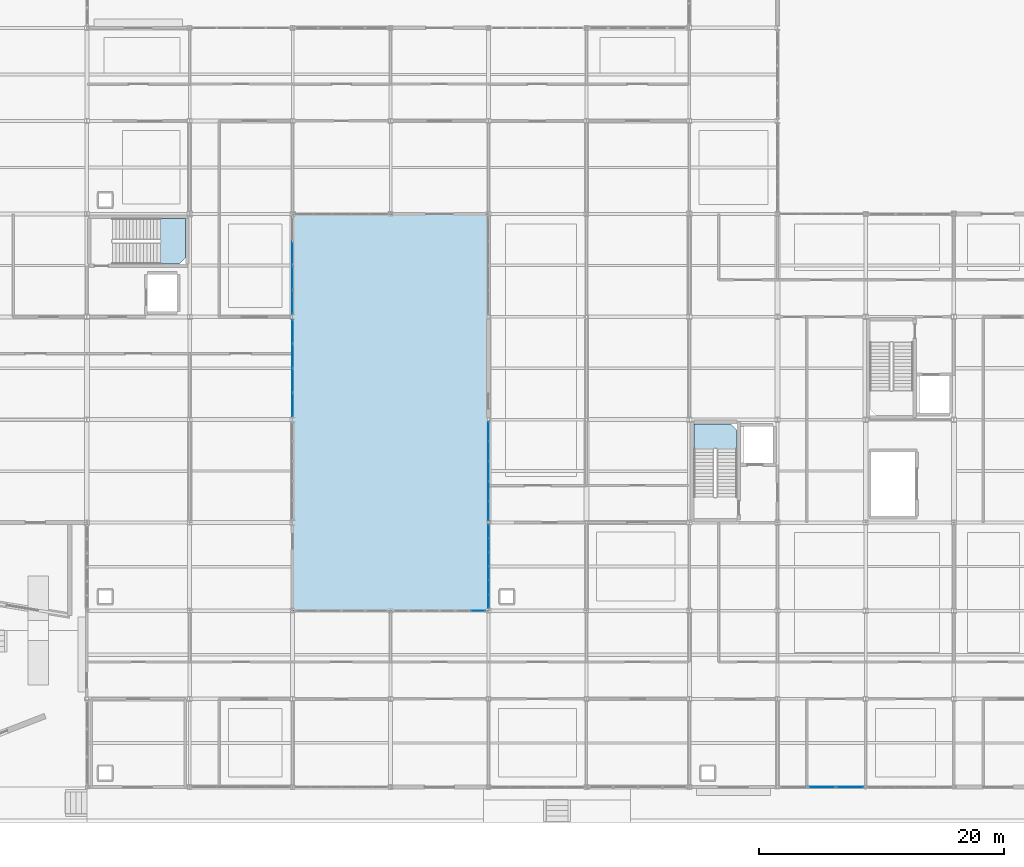
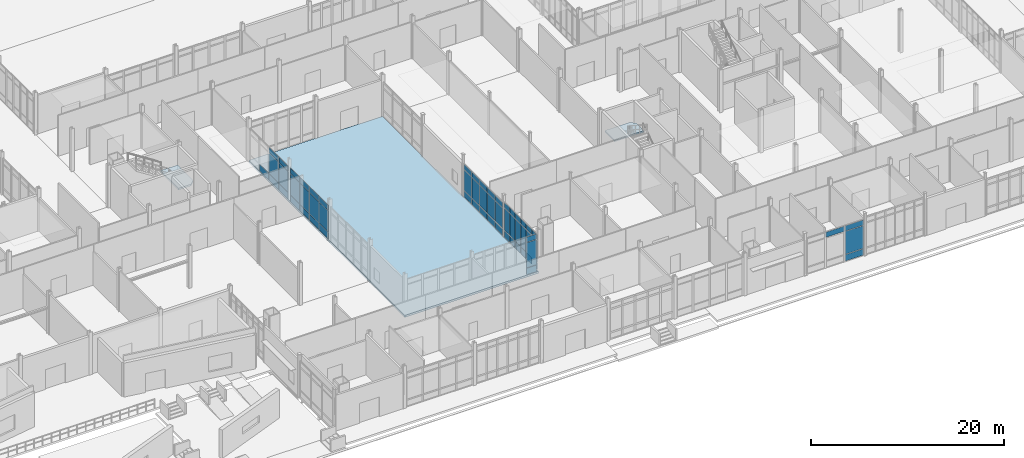
# One storey, part 143 of 229: 59 plates, 3 slabs, 8 elements without a shape of their own.
"""IFC4 building model written with IfcOpenShell, lengths in metres."""

from ifc_helpers import new_model, si_unit, direction, frame, origin, origin_2d, place, context, subcontext, project, spatial, polyline, rectangle, outline, extrude, material, layer, layer_set, type_object, element, aggregate, save


model = new_model("IFC4")

# Units and contexts
model_context = context("Model", 3, precision=1e-05, world=origin(), true_north=direction((0.0, 1.0)))
body_context = subcontext(model_context, "Body", "Model", "MODEL_VIEW")
ifc_project = project(units=[si_unit("LENGTHUNIT", "METRE"), si_unit("AREAUNIT", "SQUARE_METRE"), si_unit("VOLUMEUNIT", "CUBIC_METRE"), si_unit("PLANEANGLEUNIT", "RADIAN"), si_unit("MASSUNIT", "GRAM", prefix="KILO")], contexts=[model_context])

# Site, building, storey
site_placement = place(None, origin())
site = spatial("IfcSite", under=ifc_project, at=site_placement, CompositionType="ELEMENT")
building_placement = place(site_placement, origin())
building = spatial("IfcBuilding", under=site, at=building_placement, Name="Calvrana Isthmian Art Gallery", CompositionType="ELEMENT")
storey_placement = place(building_placement, origin())
storey = spatial("IfcBuildingStorey", under=building, at=storey_placement, Name="L00", CompositionType="ELEMENT", Elevation=0.0)

# Curtain wall, plates
ifc_material_1 = material(Name="Anodized bronze aluminium 6063-T6", Category="aluminium")
ifc_layer_1 = layer(ifc_material_1, 0.179931640625, Name="Anodized bronze aluminium 6063-T6")
ifc_layer_set_1 = layer_set([ifc_layer_1], Name="Anodized bronze aluminium 6063-T6")
curtain_wall_type_1 = type_object("IfcCurtainWallType", Name="CW-UNIT-080X44", PredefinedType="USERDEFINED", material=ifc_layer_set_1)
curtain_wall_1_placement = place(storey_placement, origin())
curtain_wall_1 = element("IfcCurtainWall", 1, at=curtain_wall_1_placement, inside=storey, type_object=curtain_wall_type_1, Name="Curtain wall CW-070", ObjectType="UNITISED CURTAIN WALL", PredefinedType="USERDEFINED")
ifc_material_2 = material(Name="Polychrome glazed terracotta", Category="masonry")
ifc_layer_2 = layer(ifc_material_2, 0.033935546875, Name="Polychrome glazed terracotta")
ifc_layer_set_2 = layer_set([ifc_layer_2], Name="Polychrome glazed terracotta")
plate_type_1 = type_object("IfcPlateType", Name="CWP-SPANDREL-34", PredefinedType="CURTAIN_PANEL", material=ifc_layer_set_2)
plate_1_placement = place(storey_placement, frame((80.39990234375, 37.192138671875, 0.06005859375), z_axis=(0.0, 0.0, 1.0), x_axis=(0.0, -1.0, 0.0)))
plate_1 = element("IfcPlate", 2, at=plate_1_placement, type_object=plate_type_1, Name="CW-070 panel 1.1", PredefinedType="CURTAIN_PANEL", context=body_context, shape_type="SweptSolid", body=[
    extrude(rectangle(XDim=1.892578125, YDim=0.033935546875, at=origin_2d()), origin(), (0.0, 0.0, 1.0), 0.81005859375),
])
plate_2_placement = place(storey_placement, frame((80.39990234375, 37.192138671875, 0.93017578125), z_axis=(0.0, 0.0, 1.0), x_axis=(0.0, -1.0, 0.0)))
plate_2 = element("IfcPlate", 3, at=plate_2_placement, type_object=plate_type_1, Name="CW-070 panel 1.2", PredefinedType="CURTAIN_PANEL", context=body_context, shape_type="SweptSolid", body=[
    extrude(rectangle(XDim=1.892578125, YDim=0.033935546875, at=origin_2d()), origin(), (0.0, 0.0, 1.0), 2.657958984375),
])
plate_3_placement = place(storey_placement, frame((80.39990234375, 37.192138671875, 3.64794921875), z_axis=(0.0, 0.0, 1.0), x_axis=(0.0, -1.0, 0.0)))
plate_3 = element("IfcPlate", 4, at=plate_3_placement, type_object=plate_type_1, Name="CW-070 panel 1.3", PredefinedType="CURTAIN_PANEL", context=body_context, shape_type="SweptSolid", body=[
    extrude(rectangle(XDim=1.892578125, YDim=0.033935546875, at=origin_2d()), origin(), (0.0, 0.0, 1.0), 0.659912109375),
])
plate_4_placement = place(storey_placement, frame((80.39990234375, 35.205810546875, 0.06005859375), z_axis=(0.0, 0.0, 1.0), x_axis=(0.0, -1.0, 0.0)))
plate_4 = element("IfcPlate", 5, at=plate_4_placement, type_object=plate_type_1, Name="CW-070 panel 2.1", PredefinedType="CURTAIN_PANEL", context=body_context, shape_type="SweptSolid", body=[
    extrude(rectangle(XDim=1.93017578125, YDim=0.033935546875, at=origin_2d()), origin(), (0.0, 0.0, 1.0), 0.81005859375),
])
plate_5_placement = place(storey_placement, frame((80.39990234375, 35.205810546875, 0.93017578125), z_axis=(0.0, 0.0, 1.0), x_axis=(0.0, -1.0, 0.0)))
plate_5 = element("IfcPlate", 6, at=plate_5_placement, type_object=plate_type_1, Name="CW-070 panel 2.2", PredefinedType="CURTAIN_PANEL", context=body_context, shape_type="SweptSolid", body=[
    extrude(rectangle(XDim=1.93017578125, YDim=0.033935546875, at=origin_2d()), origin(), (0.0, 0.0, 1.0), 2.657958984375),
])
plate_6_placement = place(storey_placement, frame((80.39990234375, 35.205810546875, 3.64794921875), z_axis=(0.0, 0.0, 1.0), x_axis=(0.0, -1.0, 0.0)))
plate_6 = element("IfcPlate", 7, at=plate_6_placement, type_object=plate_type_1, Name="CW-070 panel 2.3", PredefinedType="CURTAIN_PANEL", context=body_context, shape_type="SweptSolid", body=[
    extrude(rectangle(XDim=1.93017578125, YDim=0.033935546875, at=origin_2d()), origin(), (0.0, 0.0, 1.0), 0.659912109375),
])
plate_7_placement = place(storey_placement, frame((80.39990234375, 33.20068359375, 0.06005859375), z_axis=(0.0, 0.0, 1.0), x_axis=(0.0, -1.0, 0.0)))
plate_7 = element("IfcPlate", 8, at=plate_7_placement, type_object=plate_type_1, Name="CW-070 panel 3.1", PredefinedType="CURTAIN_PANEL", context=body_context, shape_type="SweptSolid", body=[
    extrude(rectangle(XDim=1.93017578125, YDim=0.033935546875, at=origin_2d()), origin(), (0.0, 0.0, 1.0), 0.81005859375),
])
plate_8_placement = place(storey_placement, frame((80.39990234375, 33.20068359375, 0.93017578125), z_axis=(0.0, 0.0, 1.0), x_axis=(0.0, -1.0, 0.0)))
plate_8 = element("IfcPlate", 9, at=plate_8_placement, type_object=plate_type_1, Name="CW-070 panel 3.2", PredefinedType="CURTAIN_PANEL", context=body_context, shape_type="SweptSolid", body=[
    extrude(rectangle(XDim=1.93017578125, YDim=0.033935546875, at=origin_2d()), origin(), (0.0, 0.0, 1.0), 2.657958984375),
])
plate_9_placement = place(storey_placement, frame((80.39990234375, 33.20068359375, 3.64794921875), z_axis=(0.0, 0.0, 1.0), x_axis=(0.0, -1.0, 0.0)))
plate_9 = element("IfcPlate", 10, at=plate_9_placement, type_object=plate_type_1, Name="CW-070 panel 3.3", PredefinedType="CURTAIN_PANEL", context=body_context, shape_type="SweptSolid", body=[
    extrude(rectangle(XDim=1.93017578125, YDim=0.033935546875, at=origin_2d()), origin(), (0.0, 0.0, 1.0), 0.659912109375),
])
plate_10_placement = place(storey_placement, frame((80.39990234375, 31.21435546875, 0.06005859375), z_axis=(0.0, 0.0, 1.0), x_axis=(0.0, -1.0, 0.0)))
plate_10 = element("IfcPlate", 11, at=plate_10_placement, type_object=plate_type_1, Name="CW-070 panel 4.1", PredefinedType="CURTAIN_PANEL", context=body_context, shape_type="SweptSolid", body=[
    extrude(rectangle(XDim=1.892578125, YDim=0.033935546875, at=origin_2d()), origin(), (0.0, 0.0, 1.0), 0.81005859375),
])
plate_11_placement = place(storey_placement, frame((80.39990234375, 31.21435546875, 0.93017578125), z_axis=(0.0, 0.0, 1.0), x_axis=(0.0, -1.0, 0.0)))
plate_11 = element("IfcPlate", 12, at=plate_11_placement, type_object=plate_type_1, Name="CW-070 panel 4.2", PredefinedType="CURTAIN_PANEL", context=body_context, shape_type="SweptSolid", body=[
    extrude(rectangle(XDim=1.892578125, YDim=0.033935546875, at=origin_2d()), origin(), (0.0, 0.0, 1.0), 2.657958984375),
])
plate_12_placement = place(storey_placement, frame((80.39990234375, 31.21435546875, 3.64794921875), z_axis=(0.0, 0.0, 1.0), x_axis=(0.0, -1.0, 0.0)))
plate_12 = element("IfcPlate", 13, at=plate_12_placement, type_object=plate_type_1, Name="CW-070 panel 4.3", PredefinedType="CURTAIN_PANEL", context=body_context, shape_type="SweptSolid", body=[
    extrude(rectangle(XDim=1.892578125, YDim=0.033935546875, at=origin_2d()), origin(), (0.0, 0.0, 1.0), 0.659912109375),
])
aggregate(curtain_wall_1, [plate_1, plate_2, plate_3, plate_4, plate_5, plate_6, plate_7, plate_8, plate_9, plate_10, plate_11, plate_12])

ifc_layer_3 = layer(ifc_material_1, 0.179931640625, Name="Anodized bronze aluminium 6063-T6")
ifc_layer_set_3 = layer_set([ifc_layer_3], Name="Anodized bronze aluminium 6063-T6")
curtain_wall_type_2 = type_object("IfcCurtainWallType", Name="CW-STICK-069X46", PredefinedType="NOTDEFINED", material=ifc_layer_set_3)
curtain_wall_2_placement = place(storey_placement, origin())
curtain_wall_2 = element("IfcCurtainWall", 14, at=curtain_wall_2_placement, inside=storey, type_object=curtain_wall_type_2, Name="Curtain wall CW-011", PredefinedType="NOTDEFINED")
ifc_material_3 = material(Name="Low-E laminated solar glass", Category="glass")
ifc_layer_4 = layer(ifc_material_3, 0.028076171875, Name="Low-E laminated solar glass")
ifc_layer_set_4 = layer_set([ifc_layer_4], Name="Low-E laminated solar glass")
plate_type_2 = type_object("IfcPlateType", Name="CWP-VISION-28", PredefinedType="CURTAIN_PANEL", material=ifc_layer_set_4)
plate_13_placement = place(storey_placement, frame((125.920654296875, 0.0, 0.06005859375), z_axis=(0.0, 0.0, 1.0), x_axis=(-1.0, 0.0, 0.0)))
plate_13 = element("IfcPlate", 15, at=plate_13_placement, type_object=plate_type_2, Name="CW-011 panel 1.1", PredefinedType="CURTAIN_PANEL", context=body_context, shape_type="SweptSolid", body=[
    extrude(rectangle(XDim=2.1953125, YDim=0.028076171875, at=origin_2d()), origin(), (0.0, 0.0, 1.0), 0.81005859375),
])
plate_14_placement = place(storey_placement, frame((125.920654296875, 0.0, 0.93017578125), z_axis=(0.0, 0.0, 1.0), x_axis=(-1.0, 0.0, 0.0)))
plate_14 = element("IfcPlate", 16, at=plate_14_placement, type_object=plate_type_2, Name="CW-011 panel 1.2", PredefinedType="CURTAIN_PANEL", context=body_context, shape_type="SweptSolid", body=[
    extrude(rectangle(XDim=2.1953125, YDim=0.028076171875, at=origin_2d()), origin(), (0.0, 0.0, 1.0), 2.881103515625),
])
plate_15_placement = place(storey_placement, frame((125.920654296875, 0.0, 3.87109375), z_axis=(0.0, 0.0, 1.0), x_axis=(-1.0, 0.0, 0.0)))
plate_15 = element("IfcPlate", 17, at=plate_15_placement, type_object=plate_type_2, Name="CW-011 panel 1.3", PredefinedType="CURTAIN_PANEL", context=body_context, shape_type="SweptSolid", body=[
    extrude(rectangle(XDim=2.1953125, YDim=0.028076171875, at=origin_2d()), origin(), (0.0, 0.0, 1.0), 0.659912109375),
])
plate_16_placement = place(storey_placement, frame((123.62548828125, 0.0, 3.87109375), z_axis=(0.0, 0.0, 1.0), x_axis=(-1.0, 0.0, 0.0)))
plate_16 = element("IfcPlate", 18, at=plate_16_placement, type_object=plate_type_2, Name="CW-011 panel 2.3", PredefinedType="CURTAIN_PANEL", context=body_context, shape_type="SweptSolid", body=[
    extrude(rectangle(XDim=2.2353515625, YDim=0.028076171875, at=origin_2d()), origin(), (0.0, 0.0, 1.0), 0.659912109375),
])
aggregate(curtain_wall_2, [plate_13, plate_14, plate_15, plate_16])

ifc_layer_5 = layer(ifc_material_1, 0.179931640625, Name="Anodized bronze aluminium 6063-T6")
ifc_layer_set_5 = layer_set([ifc_layer_5], Name="Anodized bronze aluminium 6063-T6")
curtain_wall_type_3 = type_object("IfcCurtainWallType", Name="CW-STICK-076X49", PredefinedType="NOTDEFINED", material=ifc_layer_set_5)
curtain_wall_3_placement = place(storey_placement, origin())
curtain_wall_3 = element("IfcCurtainWall", 19, at=curtain_wall_3_placement, inside=storey, type_object=curtain_wall_type_3, Name="Curtain wall CW-016", PredefinedType="NOTDEFINED")
plate_17_placement = place(storey_placement, frame((95.558837890625, 14.39990234375, 0.06005859375), z_axis=(0.0, 0.0, 1.0), x_axis=(1.0, 0.0, 0.0)))
plate_17 = element("IfcPlate", 20, at=plate_17_placement, type_object=plate_type_2, Name="CW-016 panel 6.1", PredefinedType="CURTAIN_PANEL", context=body_context, shape_type="SweptSolid", body=[
    extrude(rectangle(XDim=1.1591796875, YDim=0.028076171875, at=origin_2d()), origin(), (0.0, 0.0, 1.0), 0.81005859375),
])
plate_18_placement = place(storey_placement, frame((95.558837890625, 14.39990234375, 0.93017578125), z_axis=(0.0, 0.0, 1.0), x_axis=(1.0, 0.0, 0.0)))
plate_18 = element("IfcPlate", 21, at=plate_18_placement, type_object=plate_type_2, Name="CW-016 panel 6.2", PredefinedType="CURTAIN_PANEL", context=body_context, shape_type="SweptSolid", body=[
    extrude(rectangle(XDim=1.1591796875, YDim=0.028076171875, at=origin_2d()), origin(), (0.0, 0.0, 1.0), 3.176025390625),
])
plate_19_placement = place(storey_placement, frame((95.558837890625, 14.39990234375, 4.166015625), z_axis=(0.0, 0.0, 1.0), x_axis=(1.0, 0.0, 0.0)))
plate_19 = element("IfcPlate", 22, at=plate_19_placement, type_object=plate_type_2, Name="CW-016 panel 6.3", PredefinedType="CURTAIN_PANEL", context=body_context, shape_type="SweptSolid", body=[
    extrude(rectangle(XDim=1.1591796875, YDim=0.028076171875, at=origin_2d()), origin(), (0.0, 0.0, 1.0), 0.659912109375),
])
aggregate(curtain_wall_3, [plate_17, plate_18, plate_19])

ifc_layer_6 = layer(ifc_material_1, 0.179931640625, Name="Anodized bronze aluminium 6063-T6")
ifc_layer_set_6 = layer_set([ifc_layer_6], Name="Anodized bronze aluminium 6063-T6")
curtain_wall_type_4 = type_object("IfcCurtainWallType", Name="CW-STICK-080X43", PredefinedType="NOTDEFINED", material=ifc_layer_set_6)
curtain_wall_4_placement = place(storey_placement, origin())
curtain_wall_4 = element("IfcCurtainWall", 23, at=curtain_wall_4_placement, inside=storey, type_object=curtain_wall_type_4, Name="Curtain wall CW-071", PredefinedType="NOTDEFINED")
plate_20_placement = place(storey_placement, frame((80.39990234375, 43.59521484375, 0.06005859375), z_axis=(0.0, 0.0, 1.0), x_axis=(0.0, -1.0, 0.0)))
plate_20 = element("IfcPlate", 24, at=plate_20_placement, type_object=plate_type_2, Name="CW-071 panel 2.1", PredefinedType="CURTAIN_PANEL", context=body_context, shape_type="SweptSolid", body=[
    extrude(rectangle(XDim=1.923583984375, YDim=0.028076171875, at=origin_2d()), origin(), (0.0, 0.0, 1.0), 0.81005859375),
])
plate_21_placement = place(storey_placement, frame((80.39990234375, 41.591796875, 0.06005859375), z_axis=(0.0, 0.0, 1.0), x_axis=(0.0, -1.0, 0.0)))
plate_21 = element("IfcPlate", 25, at=plate_21_placement, type_object=plate_type_2, Name="CW-071 panel 3.1", PredefinedType="CURTAIN_PANEL", context=body_context, shape_type="SweptSolid", body=[
    extrude(rectangle(XDim=1.923583984375, YDim=0.028076171875, at=origin_2d()), origin(), (0.0, 0.0, 1.0), 0.81005859375),
])
plate_22_placement = place(storey_placement, frame((80.39990234375, 41.591796875, 0.93017578125), z_axis=(0.0, 0.0, 1.0), x_axis=(0.0, -1.0, 0.0)))
plate_22 = element("IfcPlate", 26, at=plate_22_placement, type_object=plate_type_2, Name="CW-071 panel 3.2", PredefinedType="CURTAIN_PANEL", context=body_context, shape_type="SweptSolid", body=[
    extrude(rectangle(XDim=1.923583984375, YDim=0.028076171875, at=origin_2d()), origin(), (0.0, 0.0, 1.0), 2.573974609375),
])
plate_23_placement = place(storey_placement, frame((80.39990234375, 41.591796875, 3.56396484375), z_axis=(0.0, 0.0, 1.0), x_axis=(0.0, -1.0, 0.0)))
plate_23 = element("IfcPlate", 27, at=plate_23_placement, type_object=plate_type_2, Name="CW-071 panel 3.3", PredefinedType="CURTAIN_PANEL", context=body_context, shape_type="SweptSolid", body=[
    extrude(rectangle(XDim=1.923583984375, YDim=0.028076171875, at=origin_2d()), origin(), (0.0, 0.0, 1.0), 0.659912109375),
])
plate_24_placement = place(storey_placement, frame((80.39990234375, 39.608154296875, 0.06005859375), z_axis=(0.0, 0.0, 1.0), x_axis=(0.0, -1.0, 0.0)))
plate_24 = element("IfcPlate", 28, at=plate_24_placement, type_object=plate_type_2, Name="CW-071 panel 4.1", PredefinedType="CURTAIN_PANEL", context=body_context, shape_type="SweptSolid", body=[
    extrude(rectangle(XDim=1.883544921875, YDim=0.028076171875, at=origin_2d()), origin(), (0.0, 0.0, 1.0), 0.81005859375),
])
plate_25_placement = place(storey_placement, frame((80.39990234375, 39.608154296875, 0.93017578125), z_axis=(0.0, 0.0, 1.0), x_axis=(0.0, -1.0, 0.0)))
plate_25 = element("IfcPlate", 29, at=plate_25_placement, type_object=plate_type_2, Name="CW-071 panel 4.2", PredefinedType="CURTAIN_PANEL", context=body_context, shape_type="SweptSolid", body=[
    extrude(rectangle(XDim=1.883544921875, YDim=0.028076171875, at=origin_2d()), origin(), (0.0, 0.0, 1.0), 2.573974609375),
])
plate_26_placement = place(storey_placement, frame((80.39990234375, 39.608154296875, 3.56396484375), z_axis=(0.0, 0.0, 1.0), x_axis=(0.0, -1.0, 0.0)))
plate_26 = element("IfcPlate", 30, at=plate_26_placement, type_object=plate_type_2, Name="CW-071 panel 4.3", PredefinedType="CURTAIN_PANEL", context=body_context, shape_type="SweptSolid", body=[
    extrude(rectangle(XDim=1.883544921875, YDim=0.028076171875, at=origin_2d()), origin(), (0.0, 0.0, 1.0), 0.659912109375),
])
aggregate(curtain_wall_4, [plate_20, plate_21, plate_22, plate_23, plate_24, plate_25, plate_26])

ifc_layer_7 = layer(ifc_material_1, 0.179931640625, Name="Anodized bronze aluminium 6063-T6")
ifc_layer_set_7 = layer_set([ifc_layer_7], Name="Anodized bronze aluminium 6063-T6")
curtain_wall_type_5 = type_object("IfcCurtainWallType", Name="CW-UNIT-069X45", PredefinedType="USERDEFINED", material=ifc_layer_set_7)
curtain_wall_5_placement = place(storey_placement, origin())
curtain_wall_5 = element("IfcCurtainWall", 31, at=curtain_wall_5_placement, inside=storey, type_object=curtain_wall_type_5, Name="Curtain wall CW-072", ObjectType="UNITISED CURTAIN WALL", PredefinedType="USERDEFINED")
plate_27_placement = place(storey_placement, frame((96.39990234375, 15.17529296875, 0.06494140625), z_axis=(0.0, 0.0, 1.0), x_axis=(0.0, 1.0, 0.0)))
plate_27 = element("IfcPlate", 32, at=plate_27_placement, type_object=plate_type_2, Name="CW-072 panel 1.1", PredefinedType="CURTAIN_PANEL", context=body_context, shape_type="SweptSolid", body=[
    extrude(rectangle(XDim=1.057861328125, YDim=0.028076171875, at=origin_2d()), origin(), (0.0, 0.0, 1.0), 0.802490234375),
])
plate_28_placement = place(storey_placement, frame((96.39990234375, 15.17529296875, 0.9326171875), z_axis=(0.0, 0.0, 1.0), x_axis=(0.0, 1.0, 0.0)))
plate_28 = element("IfcPlate", 33, at=plate_28_placement, type_object=plate_type_2, Name="CW-072 panel 1.2", PredefinedType="CURTAIN_PANEL", context=body_context, shape_type="SweptSolid", body=[
    extrude(rectangle(XDim=1.057861328125, YDim=0.028076171875, at=origin_2d()), origin(), (0.0, 0.0, 1.0), 2.81298828125),
])
plate_29_placement = place(storey_placement, frame((96.39990234375, 15.17529296875, 3.810546875), z_axis=(0.0, 0.0, 1.0), x_axis=(0.0, 1.0, 0.0)))
plate_29 = element("IfcPlate", 34, at=plate_29_placement, type_object=plate_type_2, Name="CW-072 panel 1.3", PredefinedType="CURTAIN_PANEL", context=body_context, shape_type="SweptSolid", body=[
    extrude(rectangle(XDim=1.057861328125, YDim=0.028076171875, at=origin_2d()), origin(), (0.0, 0.0, 1.0), 0.652587890625),
])
plate_30_placement = place(storey_placement, frame((96.39990234375, 16.30810546875, 0.06494140625), z_axis=(0.0, 0.0, 1.0), x_axis=(0.0, 1.0, 0.0)))
plate_30 = element("IfcPlate", 35, at=plate_30_placement, type_object=plate_type_2, Name="CW-072 panel 2.1", PredefinedType="CURTAIN_PANEL", context=body_context, shape_type="SweptSolid", body=[
    extrude(rectangle(XDim=1.087646484375, YDim=0.028076171875, at=origin_2d()), origin(), (0.0, 0.0, 1.0), 0.802490234375),
])
plate_31_placement = place(storey_placement, frame((96.39990234375, 16.30810546875, 0.9326171875), z_axis=(0.0, 0.0, 1.0), x_axis=(0.0, 1.0, 0.0)))
plate_31 = element("IfcPlate", 36, at=plate_31_placement, type_object=plate_type_2, Name="CW-072 panel 2.2", PredefinedType="CURTAIN_PANEL", context=body_context, shape_type="SweptSolid", body=[
    extrude(rectangle(XDim=1.087646484375, YDim=0.028076171875, at=origin_2d()), origin(), (0.0, 0.0, 1.0), 2.81298828125),
])
plate_32_placement = place(storey_placement, frame((96.39990234375, 16.30810546875, 3.810546875), z_axis=(0.0, 0.0, 1.0), x_axis=(0.0, 1.0, 0.0)))
plate_32 = element("IfcPlate", 37, at=plate_32_placement, type_object=plate_type_2, Name="CW-072 panel 2.3", PredefinedType="CURTAIN_PANEL", context=body_context, shape_type="SweptSolid", body=[
    extrude(rectangle(XDim=1.087646484375, YDim=0.028076171875, at=origin_2d()), origin(), (0.0, 0.0, 1.0), 0.652587890625),
])
plate_33_placement = place(storey_placement, frame((96.39990234375, 17.455810546875, 0.06494140625), z_axis=(0.0, 0.0, 1.0), x_axis=(0.0, 1.0, 0.0)))
plate_33 = element("IfcPlate", 38, at=plate_33_placement, type_object=plate_type_2, Name="CW-072 panel 3.1", PredefinedType="CURTAIN_PANEL", context=body_context, shape_type="SweptSolid", body=[
    extrude(rectangle(XDim=1.087646484375, YDim=0.028076171875, at=origin_2d()), origin(), (0.0, 0.0, 1.0), 0.802490234375),
])
plate_34_placement = place(storey_placement, frame((96.39990234375, 17.455810546875, 0.9326171875), z_axis=(0.0, 0.0, 1.0), x_axis=(0.0, 1.0, 0.0)))
plate_34 = element("IfcPlate", 39, at=plate_34_placement, type_object=plate_type_2, Name="CW-072 panel 3.2", PredefinedType="CURTAIN_PANEL", context=body_context, shape_type="SweptSolid", body=[
    extrude(rectangle(XDim=1.087646484375, YDim=0.028076171875, at=origin_2d()), origin(), (0.0, 0.0, 1.0), 2.81298828125),
])
plate_35_placement = place(storey_placement, frame((96.39990234375, 17.455810546875, 3.810546875), z_axis=(0.0, 0.0, 1.0), x_axis=(0.0, 1.0, 0.0)))
plate_35 = element("IfcPlate", 40, at=plate_35_placement, type_object=plate_type_2, Name="CW-072 panel 3.3", PredefinedType="CURTAIN_PANEL", context=body_context, shape_type="SweptSolid", body=[
    extrude(rectangle(XDim=1.087646484375, YDim=0.028076171875, at=origin_2d()), origin(), (0.0, 0.0, 1.0), 0.652587890625),
])
plate_36_placement = place(storey_placement, frame((96.39990234375, 18.603515625, 0.06494140625), z_axis=(0.0, 0.0, 1.0), x_axis=(0.0, 1.0, 0.0)))
plate_36 = element("IfcPlate", 41, at=plate_36_placement, type_object=plate_type_2, Name="CW-072 panel 4.1", PredefinedType="CURTAIN_PANEL", context=body_context, shape_type="SweptSolid", body=[
    extrude(rectangle(XDim=1.087646484375, YDim=0.028076171875, at=origin_2d()), origin(), (0.0, 0.0, 1.0), 0.802490234375),
])
plate_37_placement = place(storey_placement, frame((96.39990234375, 18.603515625, 0.9326171875), z_axis=(0.0, 0.0, 1.0), x_axis=(0.0, 1.0, 0.0)))
plate_37 = element("IfcPlate", 42, at=plate_37_placement, type_object=plate_type_2, Name="CW-072 panel 4.2", PredefinedType="CURTAIN_PANEL", context=body_context, shape_type="SweptSolid", body=[
    extrude(rectangle(XDim=1.087646484375, YDim=0.028076171875, at=origin_2d()), origin(), (0.0, 0.0, 1.0), 2.81298828125),
])
plate_38_placement = place(storey_placement, frame((96.39990234375, 18.603515625, 3.810546875), z_axis=(0.0, 0.0, 1.0), x_axis=(0.0, 1.0, 0.0)))
plate_38 = element("IfcPlate", 43, at=plate_38_placement, type_object=plate_type_2, Name="CW-072 panel 4.3", PredefinedType="CURTAIN_PANEL", context=body_context, shape_type="SweptSolid", body=[
    extrude(rectangle(XDim=1.087646484375, YDim=0.028076171875, at=origin_2d()), origin(), (0.0, 0.0, 1.0), 0.652587890625),
])
plate_39_placement = place(storey_placement, frame((96.39990234375, 19.75146484375, 0.06494140625), z_axis=(0.0, 0.0, 1.0), x_axis=(0.0, 1.0, 0.0)))
plate_39 = element("IfcPlate", 44, at=plate_39_placement, type_object=plate_type_2, Name="CW-072 panel 5.1", PredefinedType="CURTAIN_PANEL", context=body_context, shape_type="SweptSolid", body=[
    extrude(rectangle(XDim=1.087646484375, YDim=0.028076171875, at=origin_2d()), origin(), (0.0, 0.0, 1.0), 0.802490234375),
])
plate_40_placement = place(storey_placement, frame((96.39990234375, 19.75146484375, 0.9326171875), z_axis=(0.0, 0.0, 1.0), x_axis=(0.0, 1.0, 0.0)))
plate_40 = element("IfcPlate", 45, at=plate_40_placement, type_object=plate_type_2, Name="CW-072 panel 5.2", PredefinedType="CURTAIN_PANEL", context=body_context, shape_type="SweptSolid", body=[
    extrude(rectangle(XDim=1.087646484375, YDim=0.028076171875, at=origin_2d()), origin(), (0.0, 0.0, 1.0), 2.81298828125),
])
plate_41_placement = place(storey_placement, frame((96.39990234375, 19.75146484375, 3.810546875), z_axis=(0.0, 0.0, 1.0), x_axis=(0.0, 1.0, 0.0)))
plate_41 = element("IfcPlate", 46, at=plate_41_placement, type_object=plate_type_2, Name="CW-072 panel 5.3", PredefinedType="CURTAIN_PANEL", context=body_context, shape_type="SweptSolid", body=[
    extrude(rectangle(XDim=1.087646484375, YDim=0.028076171875, at=origin_2d()), origin(), (0.0, 0.0, 1.0), 0.652587890625),
])
plate_42_placement = place(storey_placement, frame((96.39990234375, 20.884033203125, 0.06494140625), z_axis=(0.0, 0.0, 1.0), x_axis=(0.0, 1.0, 0.0)))
plate_42 = element("IfcPlate", 47, at=plate_42_placement, type_object=plate_type_2, Name="CW-072 panel 6.1", PredefinedType="CURTAIN_PANEL", context=body_context, shape_type="SweptSolid", body=[
    extrude(rectangle(XDim=1.057861328125, YDim=0.028076171875, at=origin_2d()), origin(), (0.0, 0.0, 1.0), 0.802490234375),
])
plate_43_placement = place(storey_placement, frame((96.39990234375, 20.884033203125, 0.9326171875), z_axis=(0.0, 0.0, 1.0), x_axis=(0.0, 1.0, 0.0)))
plate_43 = element("IfcPlate", 48, at=plate_43_placement, type_object=plate_type_2, Name="CW-072 panel 6.2", PredefinedType="CURTAIN_PANEL", context=body_context, shape_type="SweptSolid", body=[
    extrude(rectangle(XDim=1.057861328125, YDim=0.028076171875, at=origin_2d()), origin(), (0.0, 0.0, 1.0), 2.81298828125),
])
plate_44_placement = place(storey_placement, frame((96.39990234375, 20.884033203125, 3.810546875), z_axis=(0.0, 0.0, 1.0), x_axis=(0.0, 1.0, 0.0)))
plate_44 = element("IfcPlate", 49, at=plate_44_placement, type_object=plate_type_2, Name="CW-072 panel 6.3", PredefinedType="CURTAIN_PANEL", context=body_context, shape_type="SweptSolid", body=[
    extrude(rectangle(XDim=1.057861328125, YDim=0.028076171875, at=origin_2d()), origin(), (0.0, 0.0, 1.0), 0.652587890625),
])
aggregate(curtain_wall_5, [plate_27, plate_28, plate_29, plate_30, plate_31, plate_32, plate_33, plate_34, plate_35, plate_36, plate_37, plate_38, plate_39, plate_40, plate_41, plate_42, plate_43, plate_44])

ifc_layer_8 = layer(ifc_material_1, 0.179931640625, Name="Anodized bronze aluminium 6063-T6")
ifc_layer_set_8 = layer_set([ifc_layer_8], Name="Anodized bronze aluminium 6063-T6")
curtain_wall_type_6 = type_object("IfcCurtainWallType", Name="CW-UNIT-081X43", PredefinedType="USERDEFINED", material=ifc_layer_set_8)
curtain_wall_6_placement = place(storey_placement, origin())
curtain_wall_6 = element("IfcCurtainWall", 50, at=curtain_wall_6_placement, inside=storey, type_object=curtain_wall_type_6, Name="Curtain wall CW-073", ObjectType="UNITISED CURTAIN WALL", PredefinedType="USERDEFINED")
plate_45_placement = place(storey_placement, frame((96.39990234375, 22.553955078125, 0.070068359375), z_axis=(0.0, 0.0, 1.0), x_axis=(0.0, 1.0, 0.0)))
plate_45 = element("IfcPlate", 51, at=plate_45_placement, type_object=plate_type_2, Name="CW-073 panel 1.1", PredefinedType="CURTAIN_PANEL", context=body_context, shape_type="SweptSolid", body=[
    extrude(rectangle(XDim=1.5341796875, YDim=0.028076171875, at=origin_2d()), origin(), (0.0, 0.0, 1.0), 0.794921875),
])
plate_46_placement = place(storey_placement, frame((96.39990234375, 22.553955078125, 0.93505859375), z_axis=(0.0, 0.0, 1.0), x_axis=(0.0, 1.0, 0.0)))
plate_46 = element("IfcPlate", 52, at=plate_46_placement, type_object=plate_type_2, Name="CW-073 panel 1.2", PredefinedType="CURTAIN_PANEL", context=body_context, shape_type="SweptSolid", body=[
    extrude(rectangle(XDim=1.5341796875, YDim=0.028076171875, at=origin_2d()), origin(), (0.0, 0.0, 1.0), 2.56396484375),
])
plate_47_placement = place(storey_placement, frame((96.39990234375, 22.553955078125, 3.569091796875), z_axis=(0.0, 0.0, 1.0), x_axis=(0.0, 1.0, 0.0)))
plate_47 = element("IfcPlate", 53, at=plate_47_placement, type_object=plate_type_2, Name="CW-073 panel 1.3", PredefinedType="CURTAIN_PANEL", context=body_context, shape_type="SweptSolid", body=[
    extrude(rectangle(XDim=1.5341796875, YDim=0.028076171875, at=origin_2d()), origin(), (0.0, 0.0, 1.0), 0.64501953125),
])
plate_48_placement = place(storey_placement, frame((96.39990234375, 24.1630859375, 0.070068359375), z_axis=(0.0, 0.0, 1.0), x_axis=(0.0, 1.0, 0.0)))
plate_48 = element("IfcPlate", 54, at=plate_48_placement, type_object=plate_type_2, Name="CW-073 panel 2.1", PredefinedType="CURTAIN_PANEL", context=body_context, shape_type="SweptSolid", body=[
    extrude(rectangle(XDim=1.564208984375, YDim=0.028076171875, at=origin_2d()), origin(), (0.0, 0.0, 1.0), 0.794921875),
])
plate_49_placement = place(storey_placement, frame((96.39990234375, 24.1630859375, 0.93505859375), z_axis=(0.0, 0.0, 1.0), x_axis=(0.0, 1.0, 0.0)))
plate_49 = element("IfcPlate", 55, at=plate_49_placement, type_object=plate_type_2, Name="CW-073 panel 2.2", PredefinedType="CURTAIN_PANEL", context=body_context, shape_type="SweptSolid", body=[
    extrude(rectangle(XDim=1.564208984375, YDim=0.028076171875, at=origin_2d()), origin(), (0.0, 0.0, 1.0), 2.56396484375),
])
plate_50_placement = place(storey_placement, frame((96.39990234375, 24.1630859375, 3.569091796875), z_axis=(0.0, 0.0, 1.0), x_axis=(0.0, 1.0, 0.0)))
plate_50 = element("IfcPlate", 56, at=plate_50_placement, type_object=plate_type_2, Name="CW-073 panel 2.3", PredefinedType="CURTAIN_PANEL", context=body_context, shape_type="SweptSolid", body=[
    extrude(rectangle(XDim=1.564208984375, YDim=0.028076171875, at=origin_2d()), origin(), (0.0, 0.0, 1.0), 0.64501953125),
])
plate_51_placement = place(storey_placement, frame((96.39990234375, 25.787353515625, 0.070068359375), z_axis=(0.0, 0.0, 1.0), x_axis=(0.0, 1.0, 0.0)))
plate_51 = element("IfcPlate", 57, at=plate_51_placement, type_object=plate_type_2, Name="CW-073 panel 3.1", PredefinedType="CURTAIN_PANEL", context=body_context, shape_type="SweptSolid", body=[
    extrude(rectangle(XDim=1.564208984375, YDim=0.028076171875, at=origin_2d()), origin(), (0.0, 0.0, 1.0), 0.794921875),
])
plate_52_placement = place(storey_placement, frame((96.39990234375, 25.787353515625, 0.93505859375), z_axis=(0.0, 0.0, 1.0), x_axis=(0.0, 1.0, 0.0)))
plate_52 = element("IfcPlate", 58, at=plate_52_placement, type_object=plate_type_2, Name="CW-073 panel 3.2", PredefinedType="CURTAIN_PANEL", context=body_context, shape_type="SweptSolid", body=[
    extrude(rectangle(XDim=1.564208984375, YDim=0.028076171875, at=origin_2d()), origin(), (0.0, 0.0, 1.0), 2.56396484375),
])
plate_53_placement = place(storey_placement, frame((96.39990234375, 25.787353515625, 3.569091796875), z_axis=(0.0, 0.0, 1.0), x_axis=(0.0, 1.0, 0.0)))
plate_53 = element("IfcPlate", 59, at=plate_53_placement, type_object=plate_type_2, Name="CW-073 panel 3.3", PredefinedType="CURTAIN_PANEL", context=body_context, shape_type="SweptSolid", body=[
    extrude(rectangle(XDim=1.564208984375, YDim=0.028076171875, at=origin_2d()), origin(), (0.0, 0.0, 1.0), 0.64501953125),
])
plate_54_placement = place(storey_placement, frame((96.39990234375, 27.411376953125, 0.070068359375), z_axis=(0.0, 0.0, 1.0), x_axis=(0.0, 1.0, 0.0)))
plate_54 = element("IfcPlate", 60, at=plate_54_placement, type_object=plate_type_2, Name="CW-073 panel 4.1", PredefinedType="CURTAIN_PANEL", context=body_context, shape_type="SweptSolid", body=[
    extrude(rectangle(XDim=1.564208984375, YDim=0.028076171875, at=origin_2d()), origin(), (0.0, 0.0, 1.0), 0.794921875),
])
plate_55_placement = place(storey_placement, frame((96.39990234375, 27.411376953125, 0.93505859375), z_axis=(0.0, 0.0, 1.0), x_axis=(0.0, 1.0, 0.0)))
plate_55 = element("IfcPlate", 61, at=plate_55_placement, type_object=plate_type_2, Name="CW-073 panel 4.2", PredefinedType="CURTAIN_PANEL", context=body_context, shape_type="SweptSolid", body=[
    extrude(rectangle(XDim=1.564208984375, YDim=0.028076171875, at=origin_2d()), origin(), (0.0, 0.0, 1.0), 2.56396484375),
])
plate_56_placement = place(storey_placement, frame((96.39990234375, 27.411376953125, 3.569091796875), z_axis=(0.0, 0.0, 1.0), x_axis=(0.0, 1.0, 0.0)))
plate_56 = element("IfcPlate", 62, at=plate_56_placement, type_object=plate_type_2, Name="CW-073 panel 4.3", PredefinedType="CURTAIN_PANEL", context=body_context, shape_type="SweptSolid", body=[
    extrude(rectangle(XDim=1.564208984375, YDim=0.028076171875, at=origin_2d()), origin(), (0.0, 0.0, 1.0), 0.64501953125),
])
plate_57_placement = place(storey_placement, frame((96.39990234375, 29.0205078125, 0.070068359375), z_axis=(0.0, 0.0, 1.0), x_axis=(0.0, 1.0, 0.0)))
plate_57 = element("IfcPlate", 63, at=plate_57_placement, type_object=plate_type_2, Name="CW-073 panel 5.1", PredefinedType="CURTAIN_PANEL", context=body_context, shape_type="SweptSolid", body=[
    extrude(rectangle(XDim=1.5341796875, YDim=0.028076171875, at=origin_2d()), origin(), (0.0, 0.0, 1.0), 0.794921875),
])
plate_58_placement = place(storey_placement, frame((96.39990234375, 29.0205078125, 0.93505859375), z_axis=(0.0, 0.0, 1.0), x_axis=(0.0, 1.0, 0.0)))
plate_58 = element("IfcPlate", 64, at=plate_58_placement, type_object=plate_type_2, Name="CW-073 panel 5.2", PredefinedType="CURTAIN_PANEL", context=body_context, shape_type="SweptSolid", body=[
    extrude(rectangle(XDim=1.5341796875, YDim=0.028076171875, at=origin_2d()), origin(), (0.0, 0.0, 1.0), 2.56396484375),
])
plate_59_placement = place(storey_placement, frame((96.39990234375, 29.0205078125, 3.569091796875), z_axis=(0.0, 0.0, 1.0), x_axis=(0.0, 1.0, 0.0)))
plate_59 = element("IfcPlate", 65, at=plate_59_placement, type_object=plate_type_2, Name="CW-073 panel 5.3", PredefinedType="CURTAIN_PANEL", context=body_context, shape_type="SweptSolid", body=[
    extrude(rectangle(XDim=1.5341796875, YDim=0.028076171875, at=origin_2d()), origin(), (0.0, 0.0, 1.0), 0.64501953125),
])
aggregate(curtain_wall_6, [plate_45, plate_46, plate_47, plate_48, plate_49, plate_50, plate_51, plate_52, plate_53, plate_54, plate_55, plate_56, plate_57, plate_58, plate_59])

# Stair, slab
ifc_material_4 = material(Name="Concrete C40/50", Category="concrete")
stair_type_1 = type_object("IfcStairType", Name="STR-HT-540W", PredefinedType="HALF_TURN_STAIR", material=ifc_material_4)
stair_1_placement = place(storey_placement, origin())
stair_1 = element("IfcStair", 66, at=stair_1_placement, inside=storey, type_object=stair_type_1, Name="Protected exit stair ST-2 (L00)", PredefinedType="HALF_TURN_STAIR")
ifc_layer_9 = layer(ifc_material_4, 0.199951171875, Name="Concrete C40/50")
ifc_layer_set_9 = layer_set([ifc_layer_9], Name="Concrete C40/50")
slab_type_1 = type_object("IfcSlabType", Name="SLB-LAND-200", PredefinedType="LANDING", material=ifc_layer_set_9)
slab_1_placement = place(storey_placement, frame((0.0, 0.0, 2.5)))
slab_1 = element("IfcSlab", 67, at=slab_1_placement, type_object=slab_type_1, Name="ST-2 landing 1", PredefinedType="LANDING", context=body_context, shape_type="SweptSolid", body=[
    extrude(outline(polyline([(69.6201171875, 42.7099609375), (71.139892578125, 42.7099609375), (71.659912109375, 43.22998046875), (71.659912109375, 46.429931640625), (69.6201171875, 46.429931640625), (69.6201171875, 42.7099609375)])), origin(), (0.0, 0.0, 1.0), 0.199951171875),
])
aggregate(stair_1, [slab_1])

stair_type_2 = type_object("IfcStairType", Name="STR-HT-540", PredefinedType="HALF_TURN_STAIR", material=ifc_material_4)
stair_2_placement = place(storey_placement, origin())
stair_2 = element("IfcStair", 68, at=stair_2_placement, inside=storey, type_object=stair_type_2, Name="Protected exit stair ST-3 (L00)", PredefinedType="HALF_TURN_STAIR")
slab_2_placement = place(storey_placement, frame((0.0, 0.0, 2.5)))
slab_2 = element("IfcSlab", 69, at=slab_2_placement, type_object=slab_type_1, Name="ST-3 landing 1", PredefinedType="LANDING", context=body_context, shape_type="SweptSolid", body=[
    extrude(outline(polyline([(116.68994140625, 27.6201171875), (116.68994140625, 29.139892578125), (116.169921875, 29.659912109375), (113.169921875, 29.659912109375), (113.169921875, 27.6201171875), (116.68994140625, 27.6201171875)])), origin(), (0.0, 0.0, 1.0), 0.199951171875),
])
aggregate(stair_2, [slab_2])

# Slab
ifc_layer_10 = layer(ifc_material_4, 0.199951171875, Name="Concrete C40/50")
ifc_layer_set_10 = layer_set([ifc_layer_10], Name="Concrete C40/50")
slab_type_2 = type_object("IfcSlabType", Name="SLB-TER-200", PredefinedType="FLOOR", material=ifc_layer_set_10)
slab_3_placement = place(storey_placement, frame((0.0, 0.0, -0.25)))
element("IfcSlab", 70, at=slab_3_placement, inside=storey, type_object=slab_type_2, Name="Central sculpture cloister court deck", PredefinedType="FLOOR", context=body_context, shape_type="SweptSolid", body=[
    extrude(outline(polyline([(80.39990234375, 14.39990234375), (96.39990234375, 14.39990234375), (96.39990234375, 46.800048828125), (80.39990234375, 46.800048828125), (80.39990234375, 14.39990234375)])), origin(), (0.0, 0.0, 1.0), 0.25),
])

save(model, "model.ifc")
